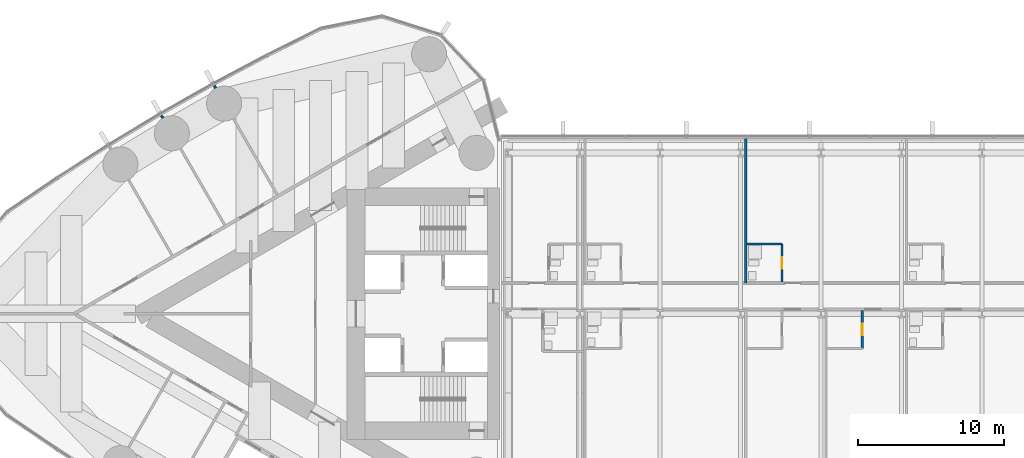
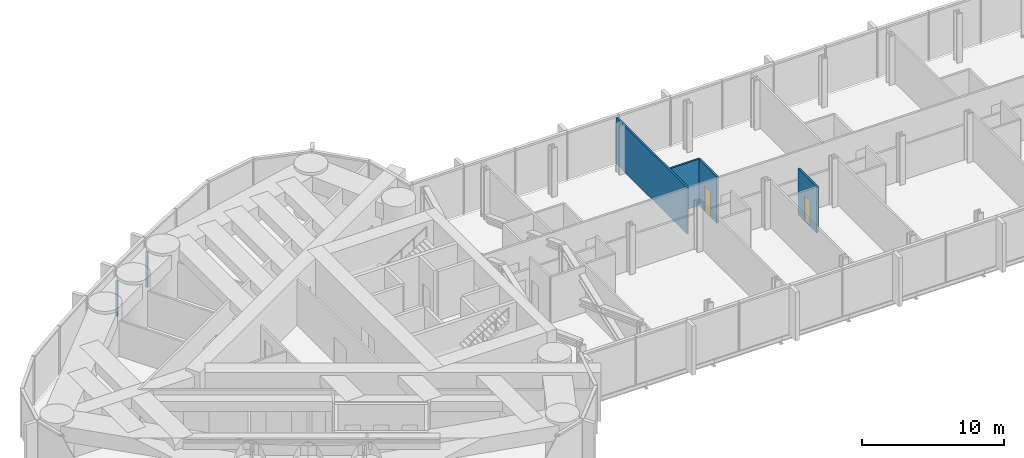
# One storey, part 17 of 23: 6 walls, 2 doors, 2 openings.
"""IFC4 building model written with IfcOpenShell, lengths in metres."""

from ifc_helpers import new_model, si_unit, direction, frame, frame_2d, origin, place, context, subcontext, project, spatial, rectangle, extrude, material, layer, layer_set, type_object, element, fill, save


model = new_model("IFC4")

# Units and contexts
model_context = context("Model", 3, precision=1e-05, world=origin(), true_north=direction((0.0, 1.0)))
body_context = subcontext(model_context, "Body", "Model", "MODEL_VIEW")
ifc_project = project(units=[si_unit("LENGTHUNIT", "METRE"), si_unit("AREAUNIT", "SQUARE_METRE"), si_unit("VOLUMEUNIT", "CUBIC_METRE"), si_unit("PLANEANGLEUNIT", "RADIAN"), si_unit("MASSUNIT", "GRAM", prefix="KILO")], contexts=[model_context])

# Site, building, storey
site_placement = place(None, origin())
site = spatial("IfcSite", under=ifc_project, at=site_placement, CompositionType="ELEMENT")
building_placement = place(site_placement, origin())
building = spatial("IfcBuilding", under=site, at=building_placement, Name="Lancet Gate Hotel", CompositionType="ELEMENT")
storey_placement = place(building_placement, frame((0.0, 0.0, 247.699951171875)))
storey = spatial("IfcBuildingStorey", under=building, at=storey_placement, Name="L66", CompositionType="ELEMENT", Elevation=247.699951171875)

# Wall, opening, door
ifc_material_1 = material(Name="Moisture resistant board partition")
ifc_layer_1 = layer(ifc_material_1, 0.14990234375)
ifc_layer_set_1 = layer_set([ifc_layer_1], Name="Bathroom wall 150")
wall_type_1 = type_object("IfcWallType", Name="Bathroom wall 150", PredefinedType="PARTITIONING", material=ifc_layer_set_1)
wall_1_placement = place(storey_placement, frame((-2.675048828125, -2.375, 0.0), z_axis=(0.0, 0.0, 1.0), x_axis=(0.0, 1.0, 0.0)))
wall_1 = element("IfcWall", 1, at=wall_1_placement, inside=storey, type_object=wall_type_1, Name="Bridge block bathroom wall 150 L66", PredefinedType="PARTITIONING", context=body_context, shape_type="SweptSolid", body=[
    extrude(rectangle(XDim=2.60009765625, YDim=0.14990234375, at=frame_2d((1.300048828125, 0.0))), origin(), (0.0, 0.0, 1.0), 4.0),
])
opening_1_placement = place(wall_1_placement, frame((0.89990234375, 0.0, 0.0)))
opening_1 = element("IfcOpeningElement", 2, at=opening_1_placement, cuts=wall_1, Name="Opening B6605-B", PredefinedType="OPENING", context=body_context, shape_type="SweptSolid", body=[
    extrude(rectangle(XDim=0.800048828125, YDim=2.199951171875, at=frame_2d((0.39990234375, 1.10009765625))), frame((0.0, 0.0849609375, 0.0), z_axis=(0.0, -1.0, 0.0), x_axis=(1.0, 0.0, 0.0)), (0.0, 0.0, 1.0), 0.169921875),
])
ifc_material_2 = material(Name="Timber door set", Category="wood")
door_type = type_object("IfcDoorType", Name="Bathroom door 800", OperationType="SINGLE_SWING_RIGHT", PredefinedType="DOOR", material=ifc_material_2)
door_1_placement = place(opening_1_placement, origin())
door_1 = element("IfcDoor", 3, at=door_1_placement, inside=storey, type_object=door_type, Name="B6605-B", OperationType="SINGLE_SWING_RIGHT", OverallHeight=2.199951171875, OverallWidth=0.800048828125, PredefinedType="DOOR", context=body_context, shape_type="SweptSolid", body=[
    extrude(rectangle(XDim=0.800048828125, YDim=2.199951171875, at=frame_2d((0.39990234375, 1.10009765625))), frame((0.0, 0.02490234375, 0.0), z_axis=(0.0, -1.0, 0.0), x_axis=(1.0, 0.0, 0.0)), (0.0, 0.0, 1.0), 0.050048828125),
])
fill(opening_1, door_1)

# Wall
wall_2_placement = place(storey_placement, frame((-10.574951171875, 4.77490234375, 0.0), z_axis=(0.0, 0.0, 1.0), x_axis=(1.0, 0.0, 0.0)))
element("IfcWall", 4, at=wall_2_placement, inside=storey, type_object=wall_type_1, Name="Bridge block bathroom wall 150 L66", PredefinedType="PARTITIONING", context=body_context, shape_type="SweptSolid", body=[
    extrude(rectangle(XDim=2.39990234375, YDim=0.14990234375, at=frame_2d((1.199951171875, 0.0))), origin(), (0.0, 0.0, 1.0), 4.0),
])

# Wall, opening, door
wall_3_placement = place(storey_placement, frame((-8.175048828125, 2.175048828125, 0.0), z_axis=(0.0, 0.0, 1.0), x_axis=(0.0, 1.0, 0.0)))
wall_3 = element("IfcWall", 5, at=wall_3_placement, inside=storey, type_object=wall_type_1, Name="Bridge block bathroom wall 150 L66", PredefinedType="PARTITIONING", context=body_context, shape_type="SweptSolid", body=[
    extrude(rectangle(XDim=2.599853515625, YDim=0.14990234375, at=frame_2d((1.2998046875, 0.0))), origin(), (0.0, 0.0, 1.0), 4.0),
])
opening_2_placement = place(wall_3_placement, frame((0.89990234375, 0.0, 0.0)))
opening_2 = element("IfcOpeningElement", 6, at=opening_2_placement, cuts=wall_3, Name="Opening B6614-B", PredefinedType="OPENING", context=body_context, shape_type="SweptSolid", body=[
    extrude(rectangle(XDim=0.800048828125, YDim=2.199951171875, at=frame_2d((0.39990234375, 1.10009765625))), frame((0.0, 0.0849609375, 0.0), z_axis=(0.0, -1.0, 0.0), x_axis=(1.0, 0.0, 0.0)), (0.0, 0.0, 1.0), 0.169921875),
])
door_2_placement = place(opening_2_placement, origin())
door_2 = element("IfcDoor", 7, at=door_2_placement, inside=storey, type_object=door_type, Name="B6614-B", OperationType="SINGLE_SWING_RIGHT", OverallHeight=2.199951171875, OverallWidth=0.800048828125, PredefinedType="DOOR", context=body_context, shape_type="SweptSolid", body=[
    extrude(rectangle(XDim=0.800048828125, YDim=2.199951171875, at=frame_2d((0.39990234375, 1.10009765625))), frame((0.0, 0.02490234375, 0.0), z_axis=(0.0, -1.0, 0.0), x_axis=(1.0, 0.0, 0.0)), (0.0, 0.0, 1.0), 0.050048828125),
])
fill(opening_2, door_2)

# Walls
ifc_material_3 = material(Name="Gypsum board partition")
ifc_layer_2 = layer(ifc_material_3, 0.14990234375)
ifc_layer_set_2 = layer_set([ifc_layer_2], Name="Party wall 150")
wall_type_2 = type_object("IfcWallType", Name="Party wall 150", PredefinedType="PARTITIONING", material=ifc_layer_set_2)
wall_4_placement = place(storey_placement, frame((-46.89794921875, 15.438720703125, 0.0), z_axis=(0.0, 0.0, 1.0), x_axis=(-0.500232303069, 0.865891241997, 0.0)))
element("IfcWall", 8, at=wall_4_placement, inside=storey, type_object=wall_type_2, Name="T1 party wall 150 L66", PredefinedType="PARTITIONING", context=body_context, shape_type="SweptSolid", body=[
    extrude(rectangle(XDim=0.1796875, YDim=0.14990234375, at=frame_2d((0.08984375, 0.0))), origin(), (0.0, 0.0, 1.0), 3.050048828125),
])
wall_5_placement = place(storey_placement, frame((-50.507568359375, 13.392333984375, 0.0), z_axis=(0.0, 0.0, 1.0), x_axis=(-0.499644091975, 0.866230789891, 0.0)))
element("IfcWall", 9, at=wall_5_placement, inside=storey, type_object=wall_type_2, Name="T1 party wall 150 L66", PredefinedType="PARTITIONING", context=body_context, shape_type="SweptSolid", body=[
    extrude(rectangle(XDim=0.179931640625, YDim=0.14990234375, at=frame_2d((0.08984375, 0.0))), origin(), (0.0, 0.0, 1.0), 3.050048828125),
])
wall_6_placement = place(storey_placement, frame((-10.64990234375, 2.10009765625, 0.0), z_axis=(0.0, 0.0, 1.0), x_axis=(0.0, 1.0, 0.0)))
element("IfcWall", 10, at=wall_6_placement, inside=storey, type_object=wall_type_2, Name="Bridge block party wall 150 L66", PredefinedType="PARTITIONING", context=body_context, shape_type="SweptSolid", body=[
    extrude(rectangle(XDim=9.969970703125, YDim=0.14990234375, at=frame_2d((4.98486328125, 0.0))), origin(), (0.0, 0.0, 1.0), 4.0),
])

save(model, "model.ifc")
